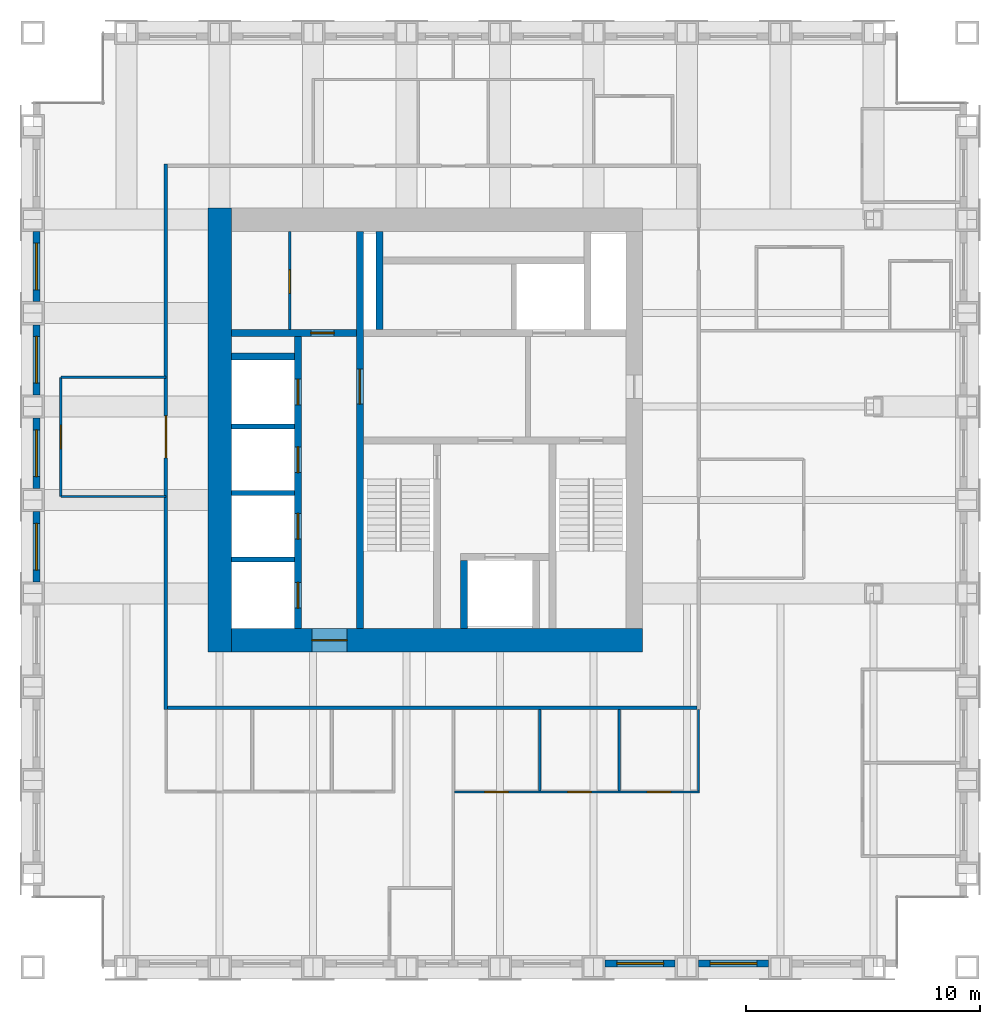
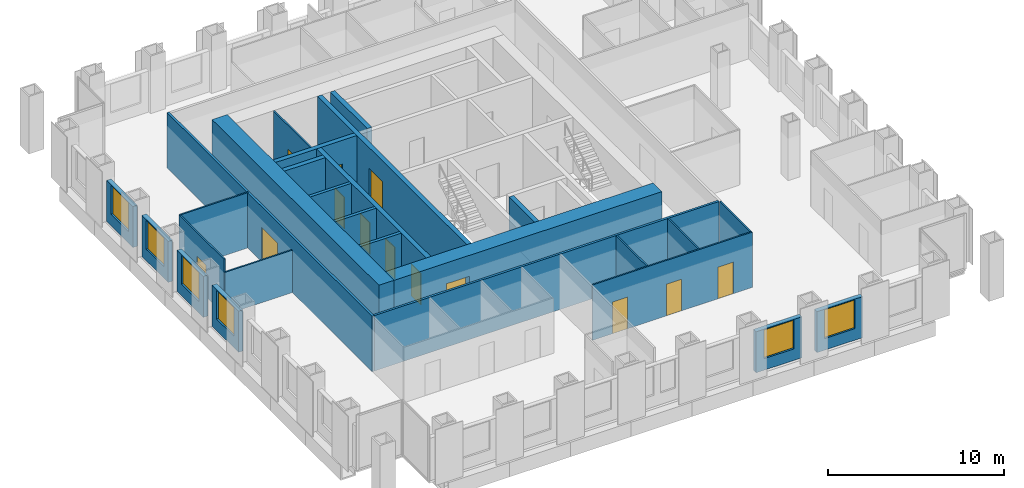
# One storey, part 8 of 13: 27 walls, 13 doors, 6 windows, 19 openings.
"""IFC4 building model written with IfcOpenShell, lengths in metres."""

from ifc_helpers import new_model, si_unit, direction, frame, frame_2d, origin, place, context, subcontext, project, spatial, rectangle, extrude, material, layer, layer_set, type_object, element, fill, save


model = new_model("IFC4")

# Units and contexts
model_context = context("Model", 3, precision=1e-05, world=origin(), true_north=direction((0.0, 1.0)))
body_context = subcontext(model_context, "Body", "Model", "MODEL_VIEW")
ifc_project = project(units=[si_unit("LENGTHUNIT", "METRE"), si_unit("AREAUNIT", "SQUARE_METRE"), si_unit("VOLUMEUNIT", "CUBIC_METRE"), si_unit("PLANEANGLEUNIT", "RADIAN"), si_unit("MASSUNIT", "GRAM", prefix="KILO")], contexts=[model_context])

# Site, building, storey
site_placement = place(None, origin())
site = spatial("IfcSite", under=ifc_project, at=site_placement, CompositionType="ELEMENT")
building_placement = place(site_placement, origin())
building = spatial("IfcBuilding", under=site, at=building_placement, Name="Rimbunsela Tower", CompositionType="ELEMENT")
storey_placement = place(building_placement, frame((0.0, 0.0, 262.199951171875)))
storey = spatial("IfcBuildingStorey", under=building, at=storey_placement, Name="L63", CompositionType="ELEMENT", Elevation=262.199951171875)

# Wall, opening, door
ifc_material_1 = material(Name="Concrete fc' 80 MPa", Category="concrete")
ifc_layer_1 = layer(ifc_material_1, 0.300048828125)
ifc_layer_set_1 = layer_set([ifc_layer_1], Name="Core internal wall 300")
wall_type_1 = type_object("IfcWallType", Name="Core internal wall 300", PredefinedType="SHEAR", material=ifc_layer_set_1)
wall_1_placement = place(storey_placement, frame((24.0, 18.5, -0.14990234375), z_axis=(0.0, 0.0, 1.0), x_axis=(0.0, 1.0, 0.0)))
wall_1 = element("IfcWall", 1, at=wall_1_placement, inside=storey, type_object=wall_type_1, Name="Core wall at stair A", PredefinedType="SHEAR", context=body_context, shape_type="SweptSolid", body=[
    extrude(rectangle(XDim=17.0, YDim=0.300048828125, at=frame_2d((8.5, 0.0))), origin(), (0.0, 0.0, 1.0), 4.0),
])
opening_1_placement = place(wall_1_placement, frame((9.60009765625, 0.0, 0.14990234375)))
opening_1 = element("IfcOpeningElement", 2, at=opening_1_placement, cuts=wall_1, Name="Opening D03", PredefinedType="OPENING", context=body_context, shape_type="SweptSolid", body=[
    extrude(rectangle(XDim=1.5, YDim=2.39990234375, at=frame_2d((0.75, 1.199951171875))), frame((0.0, 0.159912109375, 0.0), z_axis=(0.0, -1.0, 0.0), x_axis=(1.0, 0.0, 0.0)), (0.0, 0.0, 1.0), 0.320068359375),
])
ifc_material_2 = material(Name="Steel door, fire rated", Category="steel")
door_type_1 = type_object("IfcDoorType", Name="Core lobby door 1500", OperationType="DOUBLE_DOOR_DOUBLE_SWING", PredefinedType="DOOR", material=ifc_material_2)
door_1_placement = place(opening_1_placement, origin())
door_1 = element("IfcDoor", 3, at=door_1_placement, inside=storey, type_object=door_type_1, Name="West lobby door", OperationType="DOUBLE_DOOR_DOUBLE_SWING", OverallHeight=2.39990234375, OverallWidth=1.5, PredefinedType="DOOR", context=body_context, shape_type="SweptSolid", body=[
    extrude(rectangle(XDim=1.5, YDim=2.39990234375, at=frame_2d((0.75, 1.199951171875))), frame((0.0, 0.02490234375, 0.0), z_axis=(0.0, -1.0, 0.0), x_axis=(1.0, 0.0, 0.0)), (0.0, 0.0, 1.0), 0.050048828125),
])
fill(opening_1, door_1)

# Wall
wall_2_placement = place(storey_placement, frame((28.449951171875, 18.5, -0.14990234375), z_axis=(0.0, 0.0, 1.0), x_axis=(0.0, 1.0, 0.0)))
element("IfcWall", 4, at=wall_2_placement, inside=storey, type_object=wall_type_1, Name="Firefighting lift shaft west", PredefinedType="SHEAR", context=body_context, shape_type="SweptSolid", body=[
    extrude(rectangle(XDim=2.89990234375, YDim=0.300048828125, at=frame_2d((1.449951171875, 0.0))), origin(), (0.0, 0.0, 1.0), 4.0),
])

# Wall, openings, doors
wall_3_placement = place(storey_placement, frame((21.35009765625, 18.5, -0.14990234375), z_axis=(0.0, 0.0, 1.0), x_axis=(0.0, 1.0, 0.0)))
wall_3 = element("IfcWall", 5, at=wall_3_placement, inside=storey, type_object=wall_type_1, Name="Lift shaft front west", PredefinedType="SHEAR", context=body_context, shape_type="SweptSolid", body=[
    extrude(rectangle(XDim=12.5, YDim=0.300048828125, at=frame_2d((6.25, 0.0))), origin(), (0.0, 0.0, 1.0), 4.0),
])
opening_2_placement = place(wall_3_placement, frame((0.875, 0.0, 0.14990234375)))
opening_2 = element("IfcOpeningElement", 6, at=opening_2_placement, cuts=wall_3, Name="Opening LD1", PredefinedType="OPENING", context=body_context, shape_type="SweptSolid", body=[
    extrude(rectangle(XDim=1.10009765625, YDim=2.199951171875, at=frame_2d((0.550048828125, 1.10009765625))), frame((0.0, 0.159912109375, 0.0), z_axis=(0.0, -1.0, 0.0), x_axis=(1.0, 0.0, 0.0)), (0.0, 0.0, 1.0), 0.320068359375),
])
opening_3_placement = place(wall_3_placement, frame((3.824951171875, 0.0, 0.14990234375)))
opening_3 = element("IfcOpeningElement", 7, at=opening_3_placement, cuts=wall_3, Name="Opening LD1", PredefinedType="OPENING", context=body_context, shape_type="SweptSolid", body=[
    extrude(rectangle(XDim=1.10009765625, YDim=2.199951171875, at=frame_2d((0.550048828125, 1.10009765625))), frame((0.0, 0.159912109375, 0.0), z_axis=(0.0, -1.0, 0.0), x_axis=(1.0, 0.0, 0.0)), (0.0, 0.0, 1.0), 0.320068359375),
])
opening_4_placement = place(wall_3_placement, frame((6.675048828125, 0.0, 0.14990234375)))
opening_4 = element("IfcOpeningElement", 8, at=opening_4_placement, cuts=wall_3, Name="Opening LD1", PredefinedType="OPENING", context=body_context, shape_type="SweptSolid", body=[
    extrude(rectangle(XDim=1.10009765625, YDim=2.199951171875, at=frame_2d((0.550048828125, 1.10009765625))), frame((0.0, 0.159912109375, 0.0), z_axis=(0.0, -1.0, 0.0), x_axis=(1.0, 0.0, 0.0)), (0.0, 0.0, 1.0), 0.320068359375),
])
opening_5_placement = place(wall_3_placement, frame((9.574951171875, 0.0, 0.14990234375)))
opening_5 = element("IfcOpeningElement", 9, at=opening_5_placement, cuts=wall_3, Name="Opening LD1", PredefinedType="OPENING", context=body_context, shape_type="SweptSolid", body=[
    extrude(rectangle(XDim=1.10009765625, YDim=2.199951171875, at=frame_2d((0.550048828125, 1.10009765625))), frame((0.0, 0.159912109375, 0.0), z_axis=(0.0, -1.0, 0.0), x_axis=(1.0, 0.0, 0.0)), (0.0, 0.0, 1.0), 0.320068359375),
])
ifc_material_3 = material(Name="Steel door, fire rated", Category="steel")
door_type_2 = type_object("IfcDoorType", Name="Lift landing door 1100", OperationType="DOUBLE_DOOR_SLIDING", PredefinedType="DOOR", material=ifc_material_3)
door_2_placement = place(opening_2_placement, origin())
door_2 = element("IfcDoor", 10, at=door_2_placement, inside=storey, type_object=door_type_2, Name="Lift landing door TL1", OperationType="DOUBLE_DOOR_SLIDING", OverallHeight=2.199951171875, OverallWidth=1.10009765625, PredefinedType="DOOR", context=body_context, shape_type="SweptSolid", body=[
    extrude(rectangle(XDim=1.10009765625, YDim=2.199951171875, at=frame_2d((0.550048828125, 1.10009765625))), frame((0.0, 0.02490234375, 0.0), z_axis=(0.0, -1.0, 0.0), x_axis=(1.0, 0.0, 0.0)), (0.0, 0.0, 1.0), 0.050048828125),
])
fill(opening_2, door_2)
door_3_placement = place(opening_3_placement, origin())
door_3 = element("IfcDoor", 11, at=door_3_placement, inside=storey, type_object=door_type_2, Name="Lift landing door TL2", OperationType="DOUBLE_DOOR_SLIDING", OverallHeight=2.199951171875, OverallWidth=1.10009765625, PredefinedType="DOOR", context=body_context, shape_type="SweptSolid", body=[
    extrude(rectangle(XDim=1.10009765625, YDim=2.199951171875, at=frame_2d((0.550048828125, 1.10009765625))), frame((0.0, 0.02490234375, 0.0), z_axis=(0.0, -1.0, 0.0), x_axis=(1.0, 0.0, 0.0)), (0.0, 0.0, 1.0), 0.050048828125),
])
fill(opening_3, door_3)
door_4_placement = place(opening_4_placement, origin())
door_4 = element("IfcDoor", 12, at=door_4_placement, inside=storey, type_object=door_type_2, Name="Lift landing door TL3", OperationType="DOUBLE_DOOR_SLIDING", OverallHeight=2.199951171875, OverallWidth=1.10009765625, PredefinedType="DOOR", context=body_context, shape_type="SweptSolid", body=[
    extrude(rectangle(XDim=1.10009765625, YDim=2.199951171875, at=frame_2d((0.550048828125, 1.10009765625))), frame((0.0, 0.02490234375, 0.0), z_axis=(0.0, -1.0, 0.0), x_axis=(1.0, 0.0, 0.0)), (0.0, 0.0, 1.0), 0.050048828125),
])
fill(opening_4, door_4)
door_5_placement = place(opening_5_placement, origin())
door_5 = element("IfcDoor", 13, at=door_5_placement, inside=storey, type_object=door_type_2, Name="Lift landing door TL4", OperationType="DOUBLE_DOOR_SLIDING", OverallHeight=2.199951171875, OverallWidth=1.10009765625, PredefinedType="DOOR", context=body_context, shape_type="SweptSolid", body=[
    extrude(rectangle(XDim=1.10009765625, YDim=2.199951171875, at=frame_2d((0.550048828125, 1.10009765625))), frame((0.0, 0.02490234375, 0.0), z_axis=(0.0, -1.0, 0.0), x_axis=(1.0, 0.0, 0.0)), (0.0, 0.0, 1.0), 0.050048828125),
])
fill(opening_5, door_5)

# Wall, opening, door
wall_4_placement = place(storey_placement, frame((18.5, 31.14990234375, -0.14990234375), z_axis=(0.0, 0.0, 1.0), x_axis=(1.0, 0.0, 0.0)))
wall_4 = element("IfcWall", 14, at=wall_4_placement, inside=storey, type_object=wall_type_1, Name="Store wall", PredefinedType="SHEAR", context=body_context, shape_type="SweptSolid", body=[
    extrude(rectangle(XDim=5.35009765625, YDim=0.300048828125, at=frame_2d((2.675048828125, 0.0))), origin(), (0.0, 0.0, 1.0), 4.0),
])
opening_6_placement = place(wall_4_placement, frame((3.39990234375, 0.0, 0.14990234375)))
opening_6 = element("IfcOpeningElement", 15, at=opening_6_placement, cuts=wall_4, Name="Opening D19", PredefinedType="OPENING", context=body_context, shape_type="SweptSolid", body=[
    extrude(rectangle(XDim=1.0, YDim=2.199951171875, at=frame_2d((0.5, 1.10009765625))), frame((0.0, 0.159912109375, 0.0), z_axis=(0.0, -1.0, 0.0), x_axis=(1.0, 0.0, 0.0)), (0.0, 0.0, 1.0), 0.320068359375),
])
ifc_material_4 = material(Name="Steel door, fire rated", Category="steel")
door_type_3 = type_object("IfcDoorType", Name="Service door 1000 fire rated", OperationType="SINGLE_SWING_LEFT", PredefinedType="DOOR", material=ifc_material_4)
door_6_placement = place(opening_6_placement, origin())
door_6 = element("IfcDoor", 16, at=door_6_placement, inside=storey, type_object=door_type_3, Name="Facilities store door", OperationType="SINGLE_SWING_LEFT", OverallHeight=2.199951171875, OverallWidth=1.0, PredefinedType="DOOR", context=body_context, shape_type="SweptSolid", body=[
    extrude(rectangle(XDim=1.0, YDim=2.199951171875, at=frame_2d((0.5, 1.10009765625))), frame((0.0, 0.02490234375, 0.0), z_axis=(0.0, -1.0, 0.0), x_axis=(1.0, 0.0, 0.0)), (0.0, 0.0, 1.0), 0.050048828125),
])
fill(opening_6, door_6)

# Walls
wall_5_placement = place(storey_placement, frame((18.5, 30.14990234375, -0.14990234375), z_axis=(0.0, 0.0, 1.0), x_axis=(1.0, 0.0, 0.0)))
element("IfcWall", 17, at=wall_5_placement, inside=storey, type_object=wall_type_1, Name="Lift shaft rear west", PredefinedType="SHEAR", context=body_context, shape_type="SweptSolid", body=[
    extrude(rectangle(XDim=2.699951171875, YDim=0.300048828125, at=frame_2d((1.35009765625, 0.0))), origin(), (0.0, 0.0, 1.0), 4.0),
])
wall_6_placement = place(storey_placement, frame((24.85009765625, 31.300048828125, -0.14990234375), z_axis=(0.0, 0.0, 1.0), x_axis=(0.0, 1.0, 0.0)))
element("IfcWall", 18, at=wall_6_placement, inside=storey, type_object=wall_type_1, Name="Riser wall", PredefinedType="SHEAR", context=body_context, shape_type="SweptSolid", body=[
    extrude(rectangle(XDim=4.199951171875, YDim=0.300048828125, at=frame_2d((2.10009765625, 0.0))), origin(), (0.0, 0.0, 1.0), 4.0),
])

# Wall, opening, door
ifc_material_5 = material(Name="Concrete blockwork", Category="masonry")
ifc_layer_2 = layer(ifc_material_5, 0.10009765625)
ifc_layer_set_2 = layer_set([ifc_layer_2], Name="Core room partition 100")
wall_type_2 = type_object("IfcWallType", Name="Core room partition 100", PredefinedType="PARTITIONING", material=ifc_layer_set_2)
wall_7_placement = place(storey_placement, frame((21.0, 31.300048828125, 0.0), z_axis=(0.0, 0.0, 1.0), x_axis=(0.0, 1.0, 0.0)))
wall_7 = element("IfcWall", 19, at=wall_7_placement, inside=storey, type_object=wall_type_2, Name="Equipment store wall", PredefinedType="PARTITIONING", context=body_context, shape_type="SweptSolid", body=[
    extrude(rectangle(XDim=4.199951171875, YDim=0.10009765625, at=frame_2d((2.10009765625, 0.0))), origin(), (0.0, 0.0, 1.0), 3.85009765625),
])
opening_7_placement = place(wall_7_placement, frame((1.550048828125, 0.0, 0.0)))
opening_7 = element("IfcOpeningElement", 20, at=opening_7_placement, cuts=wall_7, Name="Opening D19", PredefinedType="OPENING", context=body_context, shape_type="SweptSolid", body=[
    extrude(rectangle(XDim=1.0, YDim=2.199951171875, at=frame_2d((0.5, 1.10009765625))), frame((0.0, 0.06005859375, 0.0), z_axis=(0.0, -1.0, 0.0), x_axis=(1.0, 0.0, 0.0)), (0.0, 0.0, 1.0), 0.1201171875),
])
door_7_placement = place(opening_7_placement, origin())
door_7 = element("IfcDoor", 21, at=door_7_placement, inside=storey, type_object=door_type_3, Name="Equipment store door", OperationType="SINGLE_SWING_LEFT", OverallHeight=2.199951171875, OverallWidth=1.0, PredefinedType="DOOR", context=body_context, shape_type="SweptSolid", body=[
    extrude(rectangle(XDim=1.0, YDim=2.199951171875, at=frame_2d((0.5, 1.10009765625))), frame((0.0, 0.02490234375, 0.0), z_axis=(0.0, -1.0, 0.0), x_axis=(1.0, 0.0, 0.0)), (0.0, 0.0, 1.0), 0.050048828125),
])
fill(opening_7, door_7)

# Wall
ifc_material_6 = material(Name="Concrete fc' 80 MPa", Category="concrete")
ifc_layer_3 = layer(ifc_material_6, 1.0)
ifc_layer_set_3 = layer_set([ifc_layer_3], Name="Core wall 1000")
wall_type_3 = type_object("IfcWallType", Name="Core wall 1000", PredefinedType="SHEAR", material=ifc_layer_set_3)
wall_8_placement = place(storey_placement, frame((18.0, 17.5, -0.14990234375), z_axis=(0.0, 0.0, 1.0), x_axis=(0.0, 1.0, 0.0)))
element("IfcWall", 22, at=wall_8_placement, inside=storey, type_object=wall_type_3, Name="Core wall west", PredefinedType="SHEAR", context=body_context, shape_type="SweptSolid", body=[
    extrude(rectangle(XDim=19.0, YDim=1.0, at=frame_2d((9.5, 0.0))), origin(), (0.0, 0.0, 1.0), 4.0),
])

# Wall, opening, door
wall_9_placement = place(storey_placement, frame((18.5, 18.0, -0.14990234375), z_axis=(0.0, 0.0, 1.0), x_axis=(1.0, 0.0, 0.0)))
wall_9 = element("IfcWall", 23, at=wall_9_placement, inside=storey, type_object=wall_type_3, Name="Core wall south", PredefinedType="SHEAR", context=body_context, shape_type="SweptSolid", body=[
    extrude(rectangle(XDim=17.60009765625, YDim=1.0, at=frame_2d((8.800048828125, 0.0))), origin(), (0.0, 0.0, 1.0), 4.0),
])
opening_8_placement = place(wall_9_placement, frame((3.449951171875, 0.0, 0.14990234375)))
opening_8 = element("IfcOpeningElement", 24, at=opening_8_placement, cuts=wall_9, Name="Opening D03", PredefinedType="OPENING", context=body_context, shape_type="SweptSolid", body=[
    extrude(rectangle(XDim=1.5, YDim=2.39990234375, at=frame_2d((0.75, 1.199951171875))), frame((0.0, 0.510009765625, 0.0), z_axis=(0.0, -1.0, 0.0), x_axis=(1.0, 0.0, 0.0)), (0.0, 0.0, 1.0), 1.02001953125),
])
door_8_placement = place(opening_8_placement, origin())
door_8 = element("IfcDoor", 25, at=door_8_placement, inside=storey, type_object=door_type_1, Name="Core door south", OperationType="DOUBLE_DOOR_DOUBLE_SWING", OverallHeight=2.39990234375, OverallWidth=1.5, PredefinedType="DOOR", context=body_context, shape_type="SweptSolid", body=[
    extrude(rectangle(XDim=1.5, YDim=2.39990234375, at=frame_2d((0.75, 1.199951171875))), frame((0.0, 0.02490234375, 0.0), z_axis=(0.0, -1.0, 0.0), x_axis=(1.0, 0.0, 0.0)), (0.0, 0.0, 1.0), 0.050048828125),
])
fill(opening_8, door_8)

# Walls
ifc_material_7 = material(Name="Concrete blockwork", Category="masonry")
ifc_layer_4 = layer(ifc_material_7, 0.199951171875)
ifc_layer_set_4 = layer_set([ifc_layer_4], Name="Lift shaft wall 200")
wall_type_4 = type_object("IfcWallType", Name="Lift shaft wall 200", PredefinedType="SOLIDWALL", material=ifc_layer_set_4)
for number, where, z_axis, x_axis, name in (
    (26, (18.5, 21.449951171875, -0.14990234375), (0.0, 0.0, 1.0), (1.0, 0.0, 0.0), "Lift shaft separation"),
    (27, (18.5, 24.300048828125, -0.14990234375), (0.0, 0.0, 1.0), (1.0, 0.0, 0.0), "Lift shaft separation"),
    (28, (18.5, 27.14990234375, -0.14990234375), (0.0, 0.0, 1.0), (1.0, 0.0, 0.0), "Lift shaft separation"),
):
    element("IfcWall", number, at=place(storey_placement, frame(where, z_axis=z_axis, x_axis=x_axis)), inside=storey, type_object=wall_type_4, Name=name, PredefinedType="SOLIDWALL", context=body_context, shape_type="SweptSolid", body=[
        extrude(rectangle(XDim=2.699951171875, YDim=0.199951171875, at=frame_2d((1.35009765625, 0.0))), origin(), (0.0, 0.0, 1.0), 4.0),
    ])

# Wall, openings, doors
ifc_material_8 = material(Name="Gypsum board on steel studs", Category="steel")
ifc_layer_5 = layer(ifc_material_8, 0.10009765625)
ifc_layer_set_5 = layer_set([ifc_layer_5], Name="Office partition 100")
wall_type_5 = type_object("IfcWallType", Name="Office partition 100", PredefinedType="PARTITIONING", material=ifc_layer_set_5)
wall_10_placement = place(storey_placement, frame((28.06103515625, 11.5, 0.0), z_axis=(0.0, 0.0, 1.0), x_axis=(1.0, 0.0, 0.0)))
wall_10 = element("IfcWall", 29, at=wall_10_placement, inside=storey, type_object=wall_type_5, Name="Office partition", PredefinedType="PARTITIONING", context=body_context, shape_type="SweptSolid", body=[
    extrude(rectangle(XDim=10.489013671875, YDim=0.10009765625, at=frame_2d((5.24462890625, 0.0))), origin(), (0.0, 0.0, 1.0), 3.85009765625),
])
opening_9_placement = place(wall_10_placement, frame((1.2900390625, 0.0, 0.0)))
opening_9 = element("IfcOpeningElement", 30, at=opening_9_placement, cuts=wall_10, Name="Opening D17", PredefinedType="OPENING", context=body_context, shape_type="SweptSolid", body=[
    extrude(rectangle(XDim=1.0, YDim=2.199951171875, at=frame_2d((0.5, 1.10009765625))), frame((0.0, 0.06005859375, 0.0), z_axis=(0.0, -1.0, 0.0), x_axis=(1.0, 0.0, 0.0)), (0.0, 0.0, 1.0), 0.1201171875),
])
opening_10_placement = place(wall_10_placement, frame((4.840087890625, 0.0, 0.0)))
opening_10 = element("IfcOpeningElement", 31, at=opening_10_placement, cuts=wall_10, Name="Opening D16", PredefinedType="OPENING", context=body_context, shape_type="SweptSolid", body=[
    extrude(rectangle(XDim=1.0, YDim=2.199951171875, at=frame_2d((0.5, 1.10009765625))), frame((0.0, 0.06005859375, 0.0), z_axis=(0.0, -1.0, 0.0), x_axis=(1.0, 0.0, 0.0)), (0.0, 0.0, 1.0), 0.1201171875),
])
opening_11_placement = place(wall_10_placement, frame((8.239501953125, 0.0, 0.0)))
opening_11 = element("IfcOpeningElement", 32, at=opening_11_placement, cuts=wall_10, Name="Opening D16", PredefinedType="OPENING", context=body_context, shape_type="SweptSolid", body=[
    extrude(rectangle(XDim=1.0, YDim=2.199951171875, at=frame_2d((0.5, 1.10009765625))), frame((0.0, 0.06005859375, 0.0), z_axis=(0.0, -1.0, 0.0), x_axis=(1.0, 0.0, 0.0)), (0.0, 0.0, 1.0), 0.1201171875),
])
ifc_material_9 = material(Name="Glazed aluminium door", Category="aluminium")
door_type_4 = type_object("IfcDoorType", Name="Meeting room door 1000 glazed", OperationType="SINGLE_SWING_RIGHT", PredefinedType="DOOR", material=ifc_material_9)
door_9_placement = place(opening_9_placement, origin())
door_9 = element("IfcDoor", 33, at=door_9_placement, inside=storey, type_object=door_type_4, Name="Meeting room door", OperationType="SINGLE_SWING_RIGHT", OverallHeight=2.199951171875, OverallWidth=1.0, PredefinedType="DOOR", context=body_context, shape_type="SweptSolid", body=[
    extrude(rectangle(XDim=1.0, YDim=2.199951171875, at=frame_2d((0.5, 1.10009765625))), frame((0.0, 0.02490234375, 0.0), z_axis=(0.0, -1.0, 0.0), x_axis=(1.0, 0.0, 0.0)), (0.0, 0.0, 1.0), 0.050048828125),
])
fill(opening_9, door_9)
ifc_material_10 = material(Name="Timber door", Category="wood")
door_type_5 = type_object("IfcDoorType", Name="Office door 1000", OperationType="SINGLE_SWING_LEFT", PredefinedType="DOOR", material=ifc_material_10)
door_10_placement = place(opening_10_placement, origin())
door_10 = element("IfcDoor", 34, at=door_10_placement, inside=storey, type_object=door_type_5, Name="Office door", OperationType="SINGLE_SWING_LEFT", OverallHeight=2.199951171875, OverallWidth=1.0, PredefinedType="DOOR", context=body_context, shape_type="SweptSolid", body=[
    extrude(rectangle(XDim=1.0, YDim=2.199951171875, at=frame_2d((0.5, 1.10009765625))), frame((0.0, 0.02490234375, 0.0), z_axis=(0.0, -1.0, 0.0), x_axis=(1.0, 0.0, 0.0)), (0.0, 0.0, 1.0), 0.050048828125),
])
fill(opening_10, door_10)
door_11_placement = place(opening_11_placement, origin())
door_11 = element("IfcDoor", 35, at=door_11_placement, inside=storey, type_object=door_type_5, Name="Office door", OperationType="SINGLE_SWING_LEFT", OverallHeight=2.199951171875, OverallWidth=1.0, PredefinedType="DOOR", context=body_context, shape_type="SweptSolid", body=[
    extrude(rectangle(XDim=1.0, YDim=2.199951171875, at=frame_2d((0.5, 1.10009765625))), frame((0.0, 0.02490234375, 0.0), z_axis=(0.0, -1.0, 0.0), x_axis=(1.0, 0.0, 0.0)), (0.0, 0.0, 1.0), 0.050048828125),
])
fill(opening_11, door_11)

# Walls
for number, where, z_axis, x_axis, name in (
    (36, (31.700927734375, 11.550048828125, 0.0), (0.0, 0.0, 1.0), (0.0, 1.0, 0.0), "Office partition"),
    (37, (35.10107421875, 11.550048828125, 0.0), (0.0, 0.0, 1.0), (0.0, 1.0, 0.0), "Office partition"),
    (38, (38.5, 11.550048828125, 0.0), (0.0, 0.0, 1.0), (0.0, 1.0, 0.0), "Office partition"),
):
    element("IfcWall", number, at=place(storey_placement, frame(where, z_axis=z_axis, x_axis=x_axis)), inside=storey, type_object=wall_type_5, Name=name, PredefinedType="PARTITIONING", context=body_context, shape_type="SweptSolid", body=[
        extrude(rectangle(XDim=3.474853515625, YDim=0.10009765625, at=frame_2d((1.7373046875, 0.0))), origin(), (0.0, 0.0, 1.0), 3.85009765625),
    ])
wall_11_placement = place(storey_placement, frame((15.699951171875, 29.25, 0.0), z_axis=(0.0, 0.0, 1.0), x_axis=(-1.0, 0.0, 0.0)))
element("IfcWall", 39, at=wall_11_placement, inside=storey, type_object=wall_type_5, Name="Office partition", PredefinedType="PARTITIONING", context=body_context, shape_type="SweptSolid", body=[
    extrude(rectangle(XDim=4.5, YDim=0.10009765625, at=frame_2d((2.25, 0.0))), origin(), (0.0, 0.0, 1.0), 3.85009765625),
])

# Wall, opening, door
wall_12_placement = place(storey_placement, frame((11.199951171875, 29.25, 0.0), z_axis=(0.0, 0.0, 1.0), x_axis=(0.0, -1.0, 0.0)))
wall_12 = element("IfcWall", 40, at=wall_12_placement, inside=storey, type_object=wall_type_5, Name="Office partition", PredefinedType="PARTITIONING", context=body_context, shape_type="SweptSolid", body=[
    extrude(rectangle(XDim=5.10009765625, YDim=0.10009765625, at=frame_2d((2.550048828125, 0.0))), origin(), (0.0, 0.0, 1.0), 3.85009765625),
])
opening_12_placement = place(wall_12_placement, frame((2.050048828125, 0.0, 0.0)))
opening_12 = element("IfcOpeningElement", 41, at=opening_12_placement, cuts=wall_12, Name="Opening D17", PredefinedType="OPENING", context=body_context, shape_type="SweptSolid", body=[
    extrude(rectangle(XDim=1.0, YDim=2.199951171875, at=frame_2d((0.5, 1.10009765625))), frame((0.0, 0.06005859375, 0.0), z_axis=(0.0, -1.0, 0.0), x_axis=(1.0, 0.0, 0.0)), (0.0, 0.0, 1.0), 0.1201171875),
])
door_12_placement = place(opening_12_placement, origin())
door_12 = element("IfcDoor", 42, at=door_12_placement, inside=storey, type_object=door_type_4, Name="Reception door", OperationType="SINGLE_SWING_RIGHT", OverallHeight=2.199951171875, OverallWidth=1.0, PredefinedType="DOOR", context=body_context, shape_type="SweptSolid", body=[
    extrude(rectangle(XDim=1.0, YDim=2.199951171875, at=frame_2d((0.5, 1.10009765625))), frame((0.0, 0.02490234375, 0.0), z_axis=(0.0, -1.0, 0.0), x_axis=(1.0, 0.0, 0.0)), (0.0, 0.0, 1.0), 0.050048828125),
])
fill(opening_12, door_12)

# Wall
wall_13_placement = place(storey_placement, frame((11.199951171875, 24.14990234375, 0.0), z_axis=(0.0, 0.0, 1.0), x_axis=(1.0, 0.0, 0.0)))
element("IfcWall", 43, at=wall_13_placement, inside=storey, type_object=wall_type_5, Name="Office partition", PredefinedType="PARTITIONING", context=body_context, shape_type="SweptSolid", body=[
    extrude(rectangle(XDim=4.5, YDim=0.10009765625, at=frame_2d((2.25, 0.0))), origin(), (0.0, 0.0, 1.0), 2.949951171875),
])

# Wall, opening, window
ifc_material_11 = material(Name="Precast concrete fc' 35 MPa", Category="concrete")
ifc_layer_6 = layer(ifc_material_11, 0.300048828125)
ifc_layer_set_6 = layer_set([ifc_layer_6], Name="Precast concrete fc' 35 MPa")
wall_type_6 = type_object("IfcWallType", Name="Precast facade panel 300", PredefinedType="ELEMENTEDWALL", material=ifc_layer_set_6)
wall_14_placement = place(storey_placement, frame((34.5, 4.14990234375, 0.0), z_axis=(0.0, 0.0, 1.0), x_axis=(1.0, 0.0, 0.0)))
wall_14 = element("IfcWall", 44, at=wall_14_placement, inside=storey, type_object=wall_type_6, Name="Facade panel S L63", PredefinedType="ELEMENTEDWALL", context=body_context, shape_type="SweptSolid", body=[
    extrude(rectangle(XDim=3.0, YDim=0.300048828125, at=frame_2d((1.5, 0.0))), origin(), (0.0, 0.0, 1.0), 2.85009765625),
])
opening_13_placement = place(wall_14_placement, frame((0.5, 0.0, 0.800048828125)))
opening_13 = element("IfcOpeningElement", 45, at=opening_13_placement, cuts=wall_14, Name="Opening W1", PredefinedType="OPENING", context=body_context, shape_type="SweptSolid", body=[
    extrude(rectangle(XDim=2.0, YDim=2.0, at=frame_2d((1.0, 1.0))), frame((0.0, 0.159912109375, 0.0), z_axis=(0.0, -1.0, 0.0), x_axis=(1.0, 0.0, 0.0)), (0.0, 0.0, 1.0), 0.320068359375),
])
ifc_material_12 = material(Name="Clear glass in aluminium frame", Category="aluminium")
window_type = type_object("IfcWindowType", Name="Window W1 2000x2000", PartitioningType="DOUBLE_PANEL_VERTICAL", PredefinedType="WINDOW", material=ifc_material_12)
window_1_placement = place(opening_13_placement, origin())
window_1 = element("IfcWindow", 46, at=window_1_placement, inside=storey, type_object=window_type, Name="Window L63", OverallHeight=2.0, OverallWidth=2.0, PartitioningType="SINGLE_PANEL", PredefinedType="WINDOW", context=body_context, shape_type="SweptSolid", body=[
    extrude(rectangle(XDim=2.0, YDim=2.0, at=frame_2d((1.0, 1.0))), frame((0.0, 0.030029296875, 0.0), z_axis=(0.0, -1.0, 0.0), x_axis=(1.0, 0.0, 0.0)), (0.0, 0.0, 1.0), 0.06005859375),
])
fill(opening_13, window_1)

wall_15_placement = place(storey_placement, frame((38.5, 4.14990234375, 0.0), z_axis=(0.0, 0.0, 1.0), x_axis=(1.0, 0.0, 0.0)))
wall_15 = element("IfcWall", 47, at=wall_15_placement, inside=storey, type_object=wall_type_6, Name="Facade panel S L63", PredefinedType="ELEMENTEDWALL", context=body_context, shape_type="SweptSolid", body=[
    extrude(rectangle(XDim=3.0, YDim=0.300048828125, at=frame_2d((1.5, 0.0))), origin(), (0.0, 0.0, 1.0), 2.85009765625),
])
opening_14_placement = place(wall_15_placement, frame((0.5, 0.0, 0.800048828125)))
opening_14 = element("IfcOpeningElement", 48, at=opening_14_placement, cuts=wall_15, Name="Opening W1", PredefinedType="OPENING", context=body_context, shape_type="SweptSolid", body=[
    extrude(rectangle(XDim=2.0, YDim=2.0, at=frame_2d((1.0, 1.0))), frame((0.0, 0.159912109375, 0.0), z_axis=(0.0, -1.0, 0.0), x_axis=(1.0, 0.0, 0.0)), (0.0, 0.0, 1.0), 0.320068359375),
])
window_2_placement = place(opening_14_placement, origin())
window_2 = element("IfcWindow", 49, at=window_2_placement, inside=storey, type_object=window_type, Name="Window L63", OverallHeight=2.0, OverallWidth=2.0, PartitioningType="SINGLE_PANEL", PredefinedType="WINDOW", context=body_context, shape_type="SweptSolid", body=[
    extrude(rectangle(XDim=2.0, YDim=2.0, at=frame_2d((1.0, 1.0))), frame((0.0, 0.030029296875, 0.0), z_axis=(0.0, -1.0, 0.0), x_axis=(1.0, 0.0, 0.0)), (0.0, 0.0, 1.0), 0.06005859375),
])
fill(opening_14, window_2)

wall_16_placement = place(storey_placement, frame((10.14990234375, 23.5, 0.0), z_axis=(0.0, 0.0, 1.0), x_axis=(0.0, -1.0, 0.0)))
wall_16 = element("IfcWall", 50, at=wall_16_placement, inside=storey, type_object=wall_type_6, Name="Facade panel W L63", PredefinedType="ELEMENTEDWALL", context=body_context, shape_type="SweptSolid", body=[
    extrude(rectangle(XDim=3.0, YDim=0.300048828125, at=frame_2d((1.5, 0.0))), origin(), (0.0, 0.0, 1.0), 2.85009765625),
])
opening_15_placement = place(wall_16_placement, frame((0.5, 0.0, 0.800048828125)))
opening_15 = element("IfcOpeningElement", 51, at=opening_15_placement, cuts=wall_16, Name="Opening W1", PredefinedType="OPENING", context=body_context, shape_type="SweptSolid", body=[
    extrude(rectangle(XDim=2.0, YDim=2.0, at=frame_2d((1.0, 1.0))), frame((0.0, 0.159912109375, 0.0), z_axis=(0.0, -1.0, 0.0), x_axis=(1.0, 0.0, 0.0)), (0.0, 0.0, 1.0), 0.320068359375),
])
window_3_placement = place(opening_15_placement, origin())
window_3 = element("IfcWindow", 52, at=window_3_placement, inside=storey, type_object=window_type, Name="Window L63", OverallHeight=2.0, OverallWidth=2.0, PartitioningType="SINGLE_PANEL", PredefinedType="WINDOW", context=body_context, shape_type="SweptSolid", body=[
    extrude(rectangle(XDim=2.0, YDim=2.0, at=frame_2d((1.0, 1.0))), frame((0.0, 0.030029296875, 0.0), z_axis=(0.0, -1.0, 0.0), x_axis=(1.0, 0.0, 0.0)), (0.0, 0.0, 1.0), 0.06005859375),
])
fill(opening_15, window_3)

wall_17_placement = place(storey_placement, frame((10.14990234375, 27.5, 0.0), z_axis=(0.0, 0.0, 1.0), x_axis=(0.0, -1.0, 0.0)))
wall_17 = element("IfcWall", 53, at=wall_17_placement, inside=storey, type_object=wall_type_6, Name="Facade panel W L63", PredefinedType="ELEMENTEDWALL", context=body_context, shape_type="SweptSolid", body=[
    extrude(rectangle(XDim=3.0, YDim=0.300048828125, at=frame_2d((1.5, 0.0))), origin(), (0.0, 0.0, 1.0), 2.85009765625),
])
opening_16_placement = place(wall_17_placement, frame((0.5, 0.0, 0.800048828125)))
opening_16 = element("IfcOpeningElement", 54, at=opening_16_placement, cuts=wall_17, Name="Opening W1", PredefinedType="OPENING", context=body_context, shape_type="SweptSolid", body=[
    extrude(rectangle(XDim=2.0, YDim=2.0, at=frame_2d((1.0, 1.0))), frame((0.0, 0.159912109375, 0.0), z_axis=(0.0, -1.0, 0.0), x_axis=(1.0, 0.0, 0.0)), (0.0, 0.0, 1.0), 0.320068359375),
])
window_4_placement = place(opening_16_placement, origin())
window_4 = element("IfcWindow", 55, at=window_4_placement, inside=storey, type_object=window_type, Name="Window L63", OverallHeight=2.0, OverallWidth=2.0, PartitioningType="SINGLE_PANEL", PredefinedType="WINDOW", context=body_context, shape_type="SweptSolid", body=[
    extrude(rectangle(XDim=2.0, YDim=2.0, at=frame_2d((1.0, 1.0))), frame((0.0, 0.030029296875, 0.0), z_axis=(0.0, -1.0, 0.0), x_axis=(1.0, 0.0, 0.0)), (0.0, 0.0, 1.0), 0.06005859375),
])
fill(opening_16, window_4)

wall_18_placement = place(storey_placement, frame((10.14990234375, 31.5, 0.0), z_axis=(0.0, 0.0, 1.0), x_axis=(0.0, -1.0, 0.0)))
wall_18 = element("IfcWall", 56, at=wall_18_placement, inside=storey, type_object=wall_type_6, Name="Facade panel W L63", PredefinedType="ELEMENTEDWALL", context=body_context, shape_type="SweptSolid", body=[
    extrude(rectangle(XDim=3.0, YDim=0.300048828125, at=frame_2d((1.5, 0.0))), origin(), (0.0, 0.0, 1.0), 2.85009765625),
])
opening_17_placement = place(wall_18_placement, frame((0.5, 0.0, 0.800048828125)))
opening_17 = element("IfcOpeningElement", 57, at=opening_17_placement, cuts=wall_18, Name="Opening W1", PredefinedType="OPENING", context=body_context, shape_type="SweptSolid", body=[
    extrude(rectangle(XDim=2.0, YDim=2.0, at=frame_2d((1.0, 1.0))), frame((0.0, 0.159912109375, 0.0), z_axis=(0.0, -1.0, 0.0), x_axis=(1.0, 0.0, 0.0)), (0.0, 0.0, 1.0), 0.320068359375),
])
window_5_placement = place(opening_17_placement, origin())
window_5 = element("IfcWindow", 58, at=window_5_placement, inside=storey, type_object=window_type, Name="Window L63", OverallHeight=2.0, OverallWidth=2.0, PartitioningType="SINGLE_PANEL", PredefinedType="WINDOW", context=body_context, shape_type="SweptSolid", body=[
    extrude(rectangle(XDim=2.0, YDim=2.0, at=frame_2d((1.0, 1.0))), frame((0.0, 0.030029296875, 0.0), z_axis=(0.0, -1.0, 0.0), x_axis=(1.0, 0.0, 0.0)), (0.0, 0.0, 1.0), 0.06005859375),
])
fill(opening_17, window_5)

wall_19_placement = place(storey_placement, frame((10.14990234375, 35.5, 0.0), z_axis=(0.0, 0.0, 1.0), x_axis=(0.0, -1.0, 0.0)))
wall_19 = element("IfcWall", 59, at=wall_19_placement, inside=storey, type_object=wall_type_6, Name="Facade panel W L63", PredefinedType="ELEMENTEDWALL", context=body_context, shape_type="SweptSolid", body=[
    extrude(rectangle(XDim=3.0, YDim=0.300048828125, at=frame_2d((1.5, 0.0))), origin(), (0.0, 0.0, 1.0), 2.85009765625),
])
opening_18_placement = place(wall_19_placement, frame((0.5, 0.0, 0.800048828125)))
opening_18 = element("IfcOpeningElement", 60, at=opening_18_placement, cuts=wall_19, Name="Opening W1", PredefinedType="OPENING", context=body_context, shape_type="SweptSolid", body=[
    extrude(rectangle(XDim=2.0, YDim=2.0, at=frame_2d((1.0, 1.0))), frame((0.0, 0.159912109375, 0.0), z_axis=(0.0, -1.0, 0.0), x_axis=(1.0, 0.0, 0.0)), (0.0, 0.0, 1.0), 0.320068359375),
])
window_6_placement = place(opening_18_placement, origin())
window_6 = element("IfcWindow", 61, at=window_6_placement, inside=storey, type_object=window_type, Name="Window L63", OverallHeight=2.0, OverallWidth=2.0, PartitioningType="SINGLE_PANEL", PredefinedType="WINDOW", context=body_context, shape_type="SweptSolid", body=[
    extrude(rectangle(XDim=2.0, YDim=2.0, at=frame_2d((1.0, 1.0))), frame((0.0, 0.030029296875, 0.0), z_axis=(0.0, -1.0, 0.0), x_axis=(1.0, 0.0, 0.0)), (0.0, 0.0, 1.0), 0.06005859375),
])
fill(opening_18, window_6)

# Wall, opening, door
ifc_material_13 = material(Name="Fire-rated gypsum board on steel studs, EI 60", Category="steel")
ifc_layer_7 = layer(ifc_material_13, 0.14990234375)
ifc_layer_set_7 = layer_set([ifc_layer_7], Name="Rated corridor wall 150")
wall_type_7 = type_object("IfcWallType", Name="Rated corridor wall 150", PredefinedType="PARTITIONING", material=ifc_layer_set_7)
wall_20_placement = place(storey_placement, frame((15.699951171875, 15.02490234375, 0.0), z_axis=(0.0, 0.0, 1.0), x_axis=(0.0, 1.0, 0.0)))
wall_20 = element("IfcWall", 62, at=wall_20_placement, inside=storey, type_object=wall_type_7, Name="Corridor wall west", PredefinedType="PARTITIONING", context=body_context, shape_type="SweptSolid", body=[
    extrude(rectangle(XDim=23.35009765625, YDim=0.14990234375, at=frame_2d((11.675048828125, 0.0))), origin(), (0.0, 0.0, 1.0), 3.85009765625),
])
opening_19_placement = place(wall_20_placement, frame((10.77490234375, 0.0, 0.0)))
opening_19 = element("IfcOpeningElement", 63, at=opening_19_placement, cuts=wall_20, Name="Opening D09", PredefinedType="OPENING", context=body_context, shape_type="SweptSolid", body=[
    extrude(rectangle(XDim=1.800048828125, YDim=2.39990234375, at=frame_2d((0.89990234375, 1.199951171875))), frame((0.0, 0.0849609375, 0.0), z_axis=(0.0, -1.0, 0.0), x_axis=(1.0, 0.0, 0.0)), (0.0, 0.0, 1.0), 0.169921875),
])
ifc_material_14 = material(Name="Glazed aluminium door, fire rated", Category="aluminium")
door_type_6 = type_object("IfcDoorType", Name="Tenancy door 1800 glazed", OperationType="DOUBLE_DOOR_DOUBLE_SWING", PredefinedType="DOOR", material=ifc_material_14)
door_13_placement = place(opening_19_placement, origin())
door_13 = element("IfcDoor", 64, at=door_13_placement, inside=storey, type_object=door_type_6, Name="Tenancy door", OperationType="DOUBLE_DOOR_DOUBLE_SWING", OverallHeight=2.39990234375, OverallWidth=1.800048828125, PredefinedType="DOOR", context=body_context, shape_type="SweptSolid", body=[
    extrude(rectangle(XDim=1.800048828125, YDim=2.39990234375, at=frame_2d((0.89990234375, 1.199951171875))), frame((0.0, 0.02490234375, 0.0), z_axis=(0.0, -1.0, 0.0), x_axis=(1.0, 0.0, 0.0)), (0.0, 0.0, 1.0), 0.050048828125),
])
fill(opening_19, door_13)

# Wall
wall_21_placement = place(storey_placement, frame((15.77490234375, 15.10009765625, 0.0), z_axis=(0.0, 0.0, 1.0), x_axis=(1.0, 0.0, 0.0)))
element("IfcWall", 65, at=wall_21_placement, inside=storey, type_object=wall_type_7, Name="Corridor wall south", PredefinedType="PARTITIONING", context=body_context, shape_type="SweptSolid", body=[
    extrude(rectangle(XDim=22.650146484375, YDim=0.14990234375, at=frame_2d((11.3251953125, 0.0))), origin(), (0.0, 0.0, 1.0), 3.85009765625),
])

save(model, "model.ifc")
